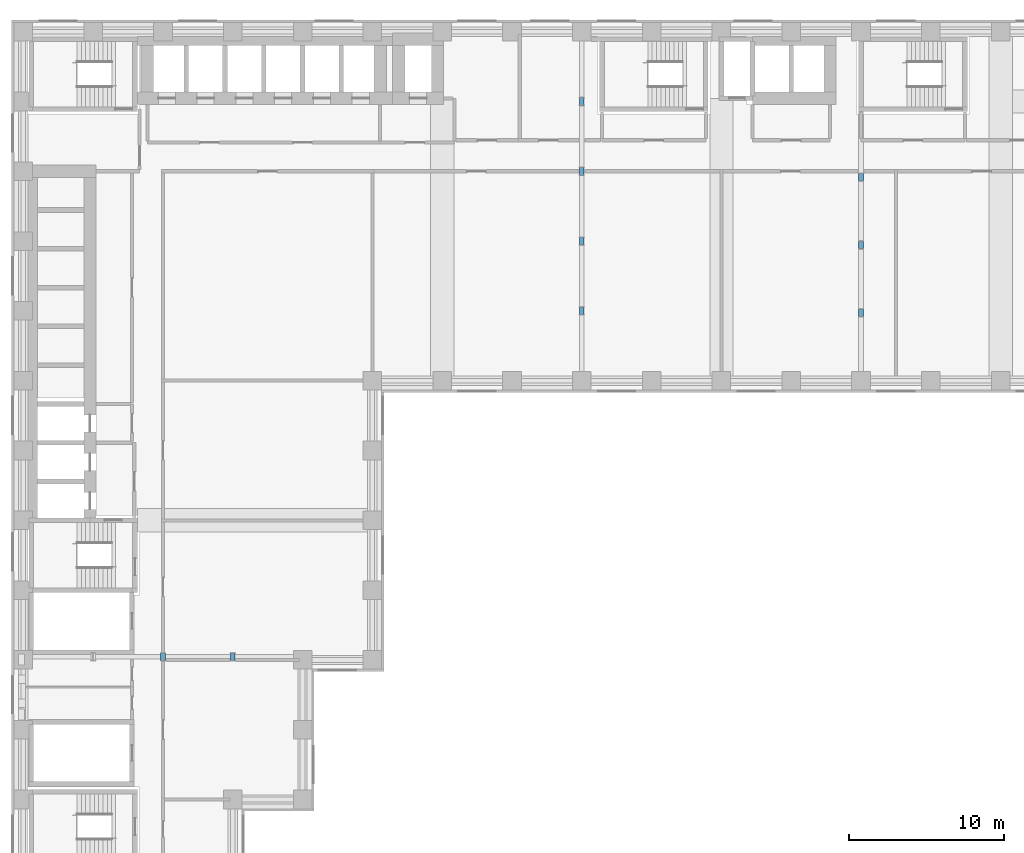
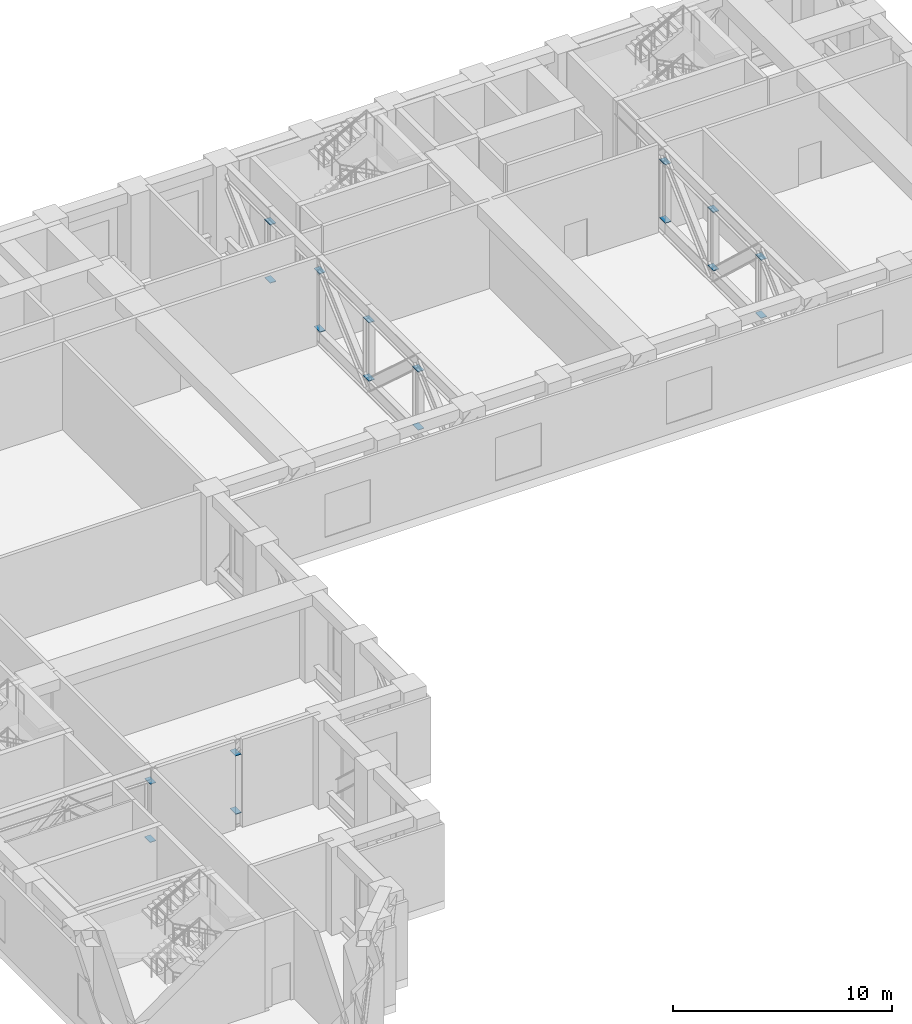
# One storey, part 10 of 13: 18 discrete accessories.
"""IFC4 building model written with IfcOpenShell, lengths in metres."""

from ifc_helpers import new_model, si_unit, direction, frame, origin, origin_2d, place, context, subcontext, project, spatial, rectangle, extrude, material, material_profile, profile_set, type_object, element, save


model = new_model("IFC4")

# Units and contexts
model_context = context("Model", 3, precision=1e-05, world=origin(), true_north=direction((0.0, 1.0)))
body_context = subcontext(model_context, "Body", "Model", "MODEL_VIEW")
ifc_project = project(units=[si_unit("LENGTHUNIT", "METRE"), si_unit("AREAUNIT", "SQUARE_METRE"), si_unit("VOLUMEUNIT", "CUBIC_METRE"), si_unit("PLANEANGLEUNIT", "RADIAN"), si_unit("MASSUNIT", "GRAM", prefix="KILO")], contexts=[model_context])

# Site, building, storey
site_placement = place(None, origin())
site = spatial("IfcSite", under=ifc_project, at=site_placement, CompositionType="ELEMENT")
building_placement = place(site_placement, origin())
building = spatial("IfcBuilding", under=site, at=building_placement, Name="Firuza Court", CompositionType="ELEMENT")
storey_placement = place(building_placement, frame((0.0, 0.0, 108.199951171875)))
storey = spatial("IfcBuildingStorey", under=building, at=storey_placement, Name="L27", CompositionType="ELEMENT", Elevation=108.199951171875)

# Discrete accessories
ifc_material = material(Name="Steel S355", Category="steel")
ifc_material_profile = material_profile(ifc_material, rectangle(XDim=0.305908203125, YDim=0.52392578125, at=origin_2d()), Name="PL 306X524")
ifc_profile_set = profile_set([ifc_material_profile], Name="Steel S355")
discrete_accessory_type = type_object("IfcDiscreteAccessoryType", Name="BELT POST END PLATE", PredefinedType="NOTDEFINED", material=ifc_profile_set)
discrete_accessory_1_placement = place(storey_placement, frame((9.0, 18.198486328125, 0.81396484375), z_axis=(0.0, 0.0, 1.0), x_axis=(1.0, 0.0, 0.0)))
element("IfcDiscreteAccessory", 1, at=discrete_accessory_1_placement, inside=storey, type_object=discrete_accessory_type, Name="Belt truss post end plate L27", PredefinedType="NOTDEFINED", context=body_context, shape_type="SweptSolid", body=[
    extrude(rectangle(XDim=0.305908203125, YDim=0.52392578125, at=origin_2d()), origin(), (0.0, 0.0, 1.0), 0.030029296875),
])
discrete_accessory_2_placement = place(storey_placement, frame((9.0, 18.198486328125, 4.05615234375), z_axis=(0.0, 0.0, 1.0), x_axis=(1.0, 0.0, 0.0)))
element("IfcDiscreteAccessory", 2, at=discrete_accessory_2_placement, inside=storey, type_object=discrete_accessory_type, Name="Belt truss post end plate L27", PredefinedType="NOTDEFINED", context=body_context, shape_type="SweptSolid", body=[
    extrude(rectangle(XDim=0.305908203125, YDim=0.52392578125, at=origin_2d()), origin(), (0.0, 0.0, 1.0), 0.02978515625),
])
discrete_accessory_3_placement = place(storey_placement, frame((13.5, 18.198486328125, 0.81396484375), z_axis=(0.0, 0.0, 1.0), x_axis=(1.0, 0.0, 0.0)))
element("IfcDiscreteAccessory", 3, at=discrete_accessory_3_placement, inside=storey, type_object=discrete_accessory_type, Name="Belt truss post end plate L27", PredefinedType="NOTDEFINED", context=body_context, shape_type="SweptSolid", body=[
    extrude(rectangle(XDim=0.305908203125, YDim=0.52392578125, at=origin_2d()), origin(), (0.0, 0.0, 1.0), 0.030029296875),
])
discrete_accessory_4_placement = place(storey_placement, frame((13.5, 18.198486328125, 4.05615234375), z_axis=(0.0, 0.0, 1.0), x_axis=(1.0, 0.0, 0.0)))
element("IfcDiscreteAccessory", 4, at=discrete_accessory_4_placement, inside=storey, type_object=discrete_accessory_type, Name="Belt truss post end plate L27", PredefinedType="NOTDEFINED", context=body_context, shape_type="SweptSolid", body=[
    extrude(rectangle(XDim=0.305908203125, YDim=0.52392578125, at=origin_2d()), origin(), (0.0, 0.0, 1.0), 0.02978515625),
])
discrete_accessory_5_placement = place(storey_placement, frame((36.0, 40.5, 0.81396484375), z_axis=(0.0, 0.0, 1.0), x_axis=(1.0, 0.0, 0.0)))
element("IfcDiscreteAccessory", 5, at=discrete_accessory_5_placement, inside=storey, type_object=discrete_accessory_type, Name="Belt truss post end plate L27", PredefinedType="NOTDEFINED", context=body_context, shape_type="SweptSolid", body=[
    extrude(rectangle(XDim=0.305908203125, YDim=0.52392578125, at=origin_2d()), origin(), (0.0, 0.0, 1.0), 0.030029296875),
])
discrete_accessory_6_placement = place(storey_placement, frame((36.0, 40.5, 4.05615234375), z_axis=(0.0, 0.0, 1.0), x_axis=(1.0, 0.0, 0.0)))
element("IfcDiscreteAccessory", 6, at=discrete_accessory_6_placement, inside=storey, type_object=discrete_accessory_type, Name="Belt truss post end plate L27", PredefinedType="NOTDEFINED", context=body_context, shape_type="SweptSolid", body=[
    extrude(rectangle(XDim=0.305908203125, YDim=0.52392578125, at=origin_2d()), origin(), (0.0, 0.0, 1.0), 0.02978515625),
])
discrete_accessory_7_placement = place(storey_placement, frame((36.0, 45.0, 0.81396484375), z_axis=(0.0, 0.0, 1.0), x_axis=(1.0, 0.0, 0.0)))
element("IfcDiscreteAccessory", 7, at=discrete_accessory_7_placement, inside=storey, type_object=discrete_accessory_type, Name="Belt truss post end plate L27", PredefinedType="NOTDEFINED", context=body_context, shape_type="SweptSolid", body=[
    extrude(rectangle(XDim=0.305908203125, YDim=0.52392578125, at=origin_2d()), origin(), (0.0, 0.0, 1.0), 0.030029296875),
])
discrete_accessory_8_placement = place(storey_placement, frame((36.0, 45.0, 4.05615234375), z_axis=(0.0, 0.0, 1.0), x_axis=(1.0, 0.0, 0.0)))
element("IfcDiscreteAccessory", 8, at=discrete_accessory_8_placement, inside=storey, type_object=discrete_accessory_type, Name="Belt truss post end plate L27", PredefinedType="NOTDEFINED", context=body_context, shape_type="SweptSolid", body=[
    extrude(rectangle(XDim=0.305908203125, YDim=0.52392578125, at=origin_2d()), origin(), (0.0, 0.0, 1.0), 0.02978515625),
])
discrete_accessory_9_placement = place(storey_placement, frame((36.0, 49.5, 0.81396484375), z_axis=(0.0, 0.0, 1.0), x_axis=(1.0, 0.0, 0.0)))
element("IfcDiscreteAccessory", 9, at=discrete_accessory_9_placement, inside=storey, type_object=discrete_accessory_type, Name="Belt truss post end plate L27", PredefinedType="NOTDEFINED", context=body_context, shape_type="SweptSolid", body=[
    extrude(rectangle(XDim=0.305908203125, YDim=0.52392578125, at=origin_2d()), origin(), (0.0, 0.0, 1.0), 0.030029296875),
])
discrete_accessory_10_placement = place(storey_placement, frame((36.0, 49.5, 4.05615234375), z_axis=(0.0, 0.0, 1.0), x_axis=(1.0, 0.0, 0.0)))
element("IfcDiscreteAccessory", 10, at=discrete_accessory_10_placement, inside=storey, type_object=discrete_accessory_type, Name="Belt truss post end plate L27", PredefinedType="NOTDEFINED", context=body_context, shape_type="SweptSolid", body=[
    extrude(rectangle(XDim=0.305908203125, YDim=0.52392578125, at=origin_2d()), origin(), (0.0, 0.0, 1.0), 0.02978515625),
])
discrete_accessory_11_placement = place(storey_placement, frame((36.0, 54.0, 0.81396484375), z_axis=(0.0, 0.0, 1.0), x_axis=(1.0, 0.0, 0.0)))
element("IfcDiscreteAccessory", 11, at=discrete_accessory_11_placement, inside=storey, type_object=discrete_accessory_type, Name="Belt truss post end plate L27", PredefinedType="NOTDEFINED", context=body_context, shape_type="SweptSolid", body=[
    extrude(rectangle(XDim=0.305908203125, YDim=0.52392578125, at=origin_2d()), origin(), (0.0, 0.0, 1.0), 0.030029296875),
])
discrete_accessory_12_placement = place(storey_placement, frame((36.0, 54.0, 4.05615234375), z_axis=(0.0, 0.0, 1.0), x_axis=(1.0, 0.0, 0.0)))
element("IfcDiscreteAccessory", 12, at=discrete_accessory_12_placement, inside=storey, type_object=discrete_accessory_type, Name="Belt truss post end plate L27", PredefinedType="NOTDEFINED", context=body_context, shape_type="SweptSolid", body=[
    extrude(rectangle(XDim=0.305908203125, YDim=0.52392578125, at=origin_2d()), origin(), (0.0, 0.0, 1.0), 0.02978515625),
])
discrete_accessory_13_placement = place(storey_placement, frame((54.0, 40.375, 0.81396484375), z_axis=(0.0, 0.0, 1.0), x_axis=(1.0, 0.0, 0.0)))
element("IfcDiscreteAccessory", 13, at=discrete_accessory_13_placement, inside=storey, type_object=discrete_accessory_type, Name="Belt truss post end plate L27", PredefinedType="NOTDEFINED", context=body_context, shape_type="SweptSolid", body=[
    extrude(rectangle(XDim=0.305908203125, YDim=0.52392578125, at=origin_2d()), origin(), (0.0, 0.0, 1.0), 0.030029296875),
])
discrete_accessory_14_placement = place(storey_placement, frame((54.0, 40.375, 4.05615234375), z_axis=(0.0, 0.0, 1.0), x_axis=(1.0, 0.0, 0.0)))
element("IfcDiscreteAccessory", 14, at=discrete_accessory_14_placement, inside=storey, type_object=discrete_accessory_type, Name="Belt truss post end plate L27", PredefinedType="NOTDEFINED", context=body_context, shape_type="SweptSolid", body=[
    extrude(rectangle(XDim=0.305908203125, YDim=0.52392578125, at=origin_2d()), origin(), (0.0, 0.0, 1.0), 0.02978515625),
])
discrete_accessory_15_placement = place(storey_placement, frame((54.0, 44.75, 0.81396484375), z_axis=(0.0, 0.0, 1.0), x_axis=(1.0, 0.0, 0.0)))
element("IfcDiscreteAccessory", 15, at=discrete_accessory_15_placement, inside=storey, type_object=discrete_accessory_type, Name="Belt truss post end plate L27", PredefinedType="NOTDEFINED", context=body_context, shape_type="SweptSolid", body=[
    extrude(rectangle(XDim=0.305908203125, YDim=0.52392578125, at=origin_2d()), origin(), (0.0, 0.0, 1.0), 0.030029296875),
])
discrete_accessory_16_placement = place(storey_placement, frame((54.0, 44.75, 4.05615234375), z_axis=(0.0, 0.0, 1.0), x_axis=(1.0, 0.0, 0.0)))
element("IfcDiscreteAccessory", 16, at=discrete_accessory_16_placement, inside=storey, type_object=discrete_accessory_type, Name="Belt truss post end plate L27", PredefinedType="NOTDEFINED", context=body_context, shape_type="SweptSolid", body=[
    extrude(rectangle(XDim=0.305908203125, YDim=0.52392578125, at=origin_2d()), origin(), (0.0, 0.0, 1.0), 0.02978515625),
])
discrete_accessory_17_placement = place(storey_placement, frame((54.0, 49.125, 0.81396484375), z_axis=(0.0, 0.0, 1.0), x_axis=(1.0, 0.0, 0.0)))
element("IfcDiscreteAccessory", 17, at=discrete_accessory_17_placement, inside=storey, type_object=discrete_accessory_type, Name="Belt truss post end plate L27", PredefinedType="NOTDEFINED", context=body_context, shape_type="SweptSolid", body=[
    extrude(rectangle(XDim=0.305908203125, YDim=0.52392578125, at=origin_2d()), origin(), (0.0, 0.0, 1.0), 0.030029296875),
])
discrete_accessory_18_placement = place(storey_placement, frame((54.0, 49.125, 4.05615234375), z_axis=(0.0, 0.0, 1.0), x_axis=(1.0, 0.0, 0.0)))
element("IfcDiscreteAccessory", 18, at=discrete_accessory_18_placement, inside=storey, type_object=discrete_accessory_type, Name="Belt truss post end plate L27", PredefinedType="NOTDEFINED", context=body_context, shape_type="SweptSolid", body=[
    extrude(rectangle(XDim=0.305908203125, YDim=0.52392578125, at=origin_2d()), origin(), (0.0, 0.0, 1.0), 0.02978515625),
])

save(model, "model.ifc")
